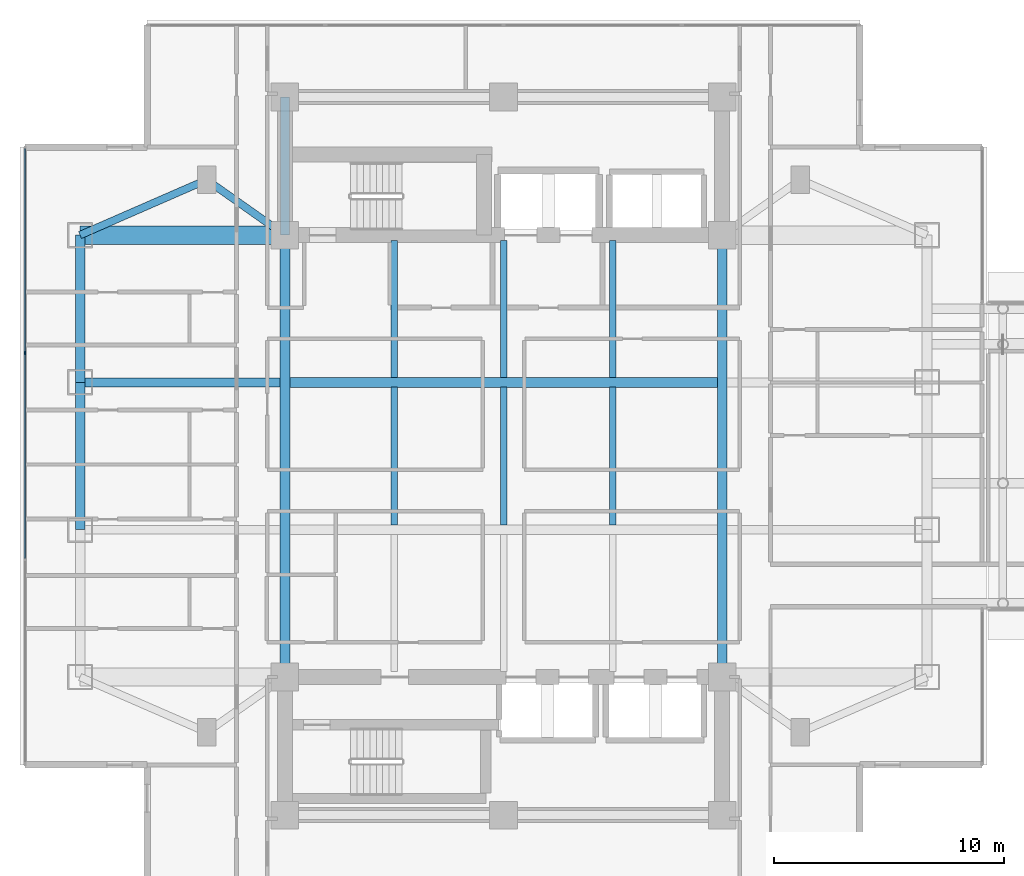
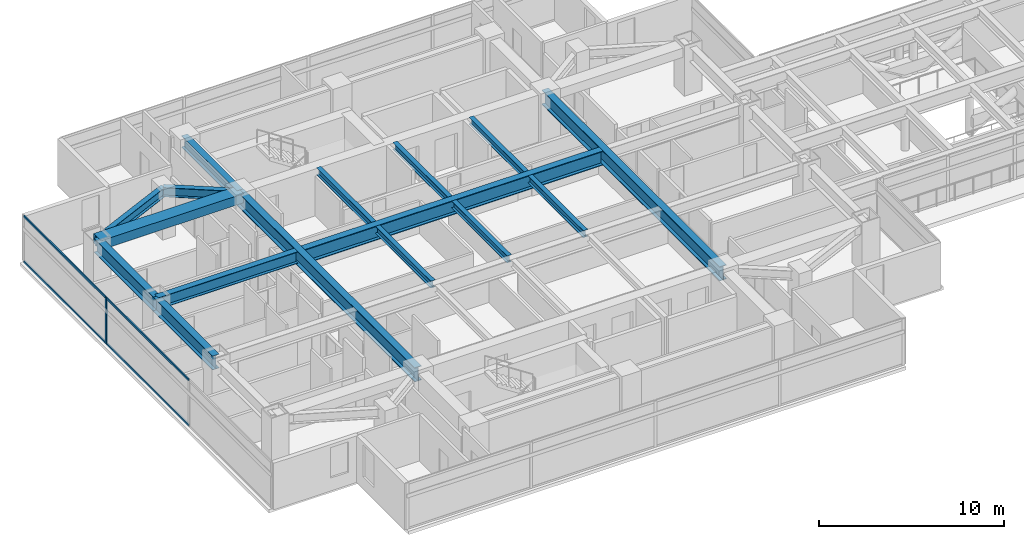
# One storey, part 3 of 27: 16 beams, 5 members, 1 element without a shape of its own.
"""IFC4 building model written with IfcOpenShell, lengths in metres."""

from ifc_helpers import new_model, si_unit, direction, frame, origin, origin_2d, place, context, subcontext, project, spatial, rectangle, i_section, extrude, material, material_profile, profile_set, type_object, element, aggregate, save


model = new_model("IFC4")

# Units and contexts
model_context = context("Model", 3, precision=1e-05, world=origin(), true_north=direction((0.0, 1.0)))
body_context = subcontext(model_context, "Body", "Model", "MODEL_VIEW")
ifc_project = project(units=[si_unit("LENGTHUNIT", "METRE"), si_unit("AREAUNIT", "SQUARE_METRE"), si_unit("VOLUMEUNIT", "CUBIC_METRE"), si_unit("PLANEANGLEUNIT", "RADIAN"), si_unit("MASSUNIT", "GRAM", prefix="KILO")], contexts=[model_context])

# Site, building, storey
site_placement = place(None, origin())
site = spatial("IfcSite", under=ifc_project, at=site_placement, CompositionType="ELEMENT")
building_placement = place(site_placement, origin())
building = spatial("IfcBuilding", under=site, at=building_placement, Name="Mirazonda Arch Towers", CompositionType="ELEMENT")
storey_placement = place(building_placement, frame((0.0, 0.0, 95.0)))
storey = spatial("IfcBuildingStorey", under=building, at=storey_placement, Name="L26", CompositionType="ELEMENT", Elevation=95.0)

# Beams
ifc_material_1 = material(Name="Steel ASTM A992 Grade 50", Category="steel")
ifc_material_profile_1 = material_profile(ifc_material_1, i_section(OverallWidth=0.41796875, OverallDepth=0.927001953125, WebThickness=0.019287109375, FlangeThickness=0.031982421875, at=origin_2d()), Name="W36X231")
ifc_profile_set_1 = profile_set([ifc_material_profile_1], Name="Steel ASTM A992 Grade 50")
beam_type_1 = type_object("IfcBeamType", Name="BM-EXT-W36X231", PredefinedType="USERDEFINED", material=ifc_profile_set_1)
beam_1_placement = place(storey_placement, frame((2.10009765625, 24.800048828125, 2.616455078125), z_axis=(0.0, 1.0, 0.0), x_axis=(-1.0, 0.0, 0.0)))
element("IfcBeam", 1, at=beam_1_placement, inside=storey, type_object=beam_type_1, Name="L26 Floor Beam BM-T1-L26-NS-W-24", ObjectType="GIRDER", PredefinedType="USERDEFINED", context=body_context, shape_type="SweptSolid", body=[
    extrude(i_section(OverallWidth=0.41796875, OverallDepth=0.927001953125, WebThickness=0.019287109375, FlangeThickness=0.031982421875, at=origin_2d()), origin(), (0.0, 0.0, 1.0), 6.39990234375),
])
beam_2_placement = place(storey_placement, frame((2.10009765625, 31.199951171875, 2.616455078125), z_axis=(0.0, 1.0, 0.0), x_axis=(-1.0, 0.0, 0.0)))
element("IfcBeam", 2, at=beam_2_placement, inside=storey, type_object=beam_type_1, Name="L26 Floor Beam BM-T1-L26-NS-W-31", ObjectType="GIRDER", PredefinedType="USERDEFINED", context=body_context, shape_type="SweptSolid", body=[
    extrude(i_section(OverallWidth=0.41796875, OverallDepth=0.927001953125, WebThickness=0.019287109375, FlangeThickness=0.031982421875, at=origin_2d()), origin(), (0.0, 0.0, 1.0), 6.400146484375),
])
ifc_material_profile_2 = material_profile(ifc_material_1, i_section(OverallWidth=0.280029296875, OverallDepth=0.462890625, WebThickness=0.0107421875, FlangeThickness=0.017333984375, at=origin_2d()), Name="W18X76")
ifc_profile_set_2 = profile_set([ifc_material_profile_2], Name="Steel ASTM A992 Grade 50")
beam_type_2 = type_object("IfcBeamType", Name="BM-INT-W18X76", PredefinedType="JOIST", material=ifc_profile_set_2)
beam_3_placement = place(storey_placement, frame((15.75, 31.407470703125, 2.848388671875), z_axis=(0.0, 1.0, 0.0), x_axis=(-1.0, 0.0, 0.0)))
element("IfcBeam", 3, at=beam_3_placement, inside=storey, type_object=beam_type_2, Name="L26 Floor Beam BM-T1-L26-J-157-31", PredefinedType="JOIST", context=body_context, shape_type="SweptSolid", body=[
    extrude(i_section(OverallWidth=0.280029296875, OverallDepth=0.462890625, WebThickness=0.0107421875, FlangeThickness=0.017333984375, at=origin_2d()), origin(), (0.0, 0.0, 1.0), 5.95263671875),
])
beam_4_placement = place(storey_placement, frame((15.75, 25.007568359375, 2.848388671875), z_axis=(0.0, 1.0, 0.0), x_axis=(-1.0, 0.0, 0.0)))
element("IfcBeam", 4, at=beam_4_placement, inside=storey, type_object=beam_type_2, Name="L26 Floor Beam BM-T1-L26-J-157-24", PredefinedType="JOIST", context=body_context, shape_type="SweptSolid", body=[
    extrude(i_section(OverallWidth=0.280029296875, OverallDepth=0.462890625, WebThickness=0.0107421875, FlangeThickness=0.017333984375, at=origin_2d()), origin(), (0.0, 0.0, 1.0), 5.98486328125),
])
beam_5_placement = place(storey_placement, frame((20.5, 31.407470703125, 2.848388671875), z_axis=(0.0, 1.0, 0.0), x_axis=(-1.0, 0.0, 0.0)))
element("IfcBeam", 5, at=beam_5_placement, inside=storey, type_object=beam_type_2, Name="L26 Floor Beam BM-T1-L26-J-205-31", PredefinedType="JOIST", context=body_context, shape_type="SweptSolid", body=[
    extrude(i_section(OverallWidth=0.280029296875, OverallDepth=0.462890625, WebThickness=0.0107421875, FlangeThickness=0.017333984375, at=origin_2d()), origin(), (0.0, 0.0, 1.0), 5.95263671875),
])
beam_6_placement = place(storey_placement, frame((20.5, 25.007568359375, 2.848388671875), z_axis=(0.0, 1.0, 0.0), x_axis=(-1.0, 0.0, 0.0)))
element("IfcBeam", 6, at=beam_6_placement, inside=storey, type_object=beam_type_2, Name="L26 Floor Beam BM-T1-L26-J-205-24", PredefinedType="JOIST", context=body_context, shape_type="SweptSolid", body=[
    extrude(i_section(OverallWidth=0.280029296875, OverallDepth=0.462890625, WebThickness=0.0107421875, FlangeThickness=0.017333984375, at=origin_2d()), origin(), (0.0, 0.0, 1.0), 5.98486328125),
])
beam_7_placement = place(storey_placement, frame((25.25, 31.407470703125, 2.848388671875), z_axis=(0.0, 1.0, 0.0), x_axis=(-1.0, 0.0, 0.0)))
element("IfcBeam", 7, at=beam_7_placement, inside=storey, type_object=beam_type_2, Name="L26 Floor Beam BM-T1-L26-J-252-31", PredefinedType="JOIST", context=body_context, shape_type="SweptSolid", body=[
    extrude(i_section(OverallWidth=0.280029296875, OverallDepth=0.462890625, WebThickness=0.0107421875, FlangeThickness=0.017333984375, at=origin_2d()), origin(), (0.0, 0.0, 1.0), 5.95263671875),
])
beam_8_placement = place(storey_placement, frame((25.25, 25.007568359375, 2.848388671875), z_axis=(0.0, 1.0, 0.0), x_axis=(-1.0, 0.0, 0.0)))
element("IfcBeam", 8, at=beam_8_placement, inside=storey, type_object=beam_type_2, Name="L26 Floor Beam BM-T1-L26-J-252-24", PredefinedType="JOIST", context=body_context, shape_type="SweptSolid", body=[
    extrude(i_section(OverallWidth=0.280029296875, OverallDepth=0.462890625, WebThickness=0.0107421875, FlangeThickness=0.017333984375, at=origin_2d()), origin(), (0.0, 0.0, 1.0), 5.98486328125),
])
ifc_material_profile_3 = material_profile(ifc_material_1, i_section(OverallWidth=0.324951171875, OverallDepth=0.615966796875, WebThickness=0.013916015625, FlangeThickness=0.021484375, at=origin_2d()), Name="W24X117")
ifc_profile_set_3 = profile_set([ifc_material_profile_3], Name="Steel ASTM A992 Grade 50")
beam_type_3 = type_object("IfcBeamType", Name="BM-INT-W24X117", PredefinedType="BEAM", material=ifc_profile_set_3)
beam_9_placement = place(storey_placement, frame((7.60009765625, 40.0, 2.77197265625), z_axis=(0.816971114901, -0.576678591087, 0.0), x_axis=(0.576678591087, 0.816971114901, 0.0)))
element("IfcBeam", 9, at=beam_9_placement, inside=storey, type_object=beam_type_3, Name="L26 Floor Beam BM-T1-L26-PL-NW1", PredefinedType="BEAM", context=body_context, shape_type="SweptSolid", body=[
    extrude(i_section(OverallWidth=0.324951171875, OverallDepth=0.615966796875, WebThickness=0.013916015625, FlangeThickness=0.021484375, at=origin_2d()), origin(), (0.0, 0.0, 1.0), 4.16162109375),
])
beam_10_placement = place(storey_placement, frame((7.60009765625, 40.0, 2.77197265625), z_axis=(-0.916545343703, -0.399930785183, 0.0), x_axis=(0.399930785183, -0.916545343703, 0.0)))
element("IfcBeam", 10, at=beam_10_placement, inside=storey, type_object=beam_type_3, Name="L26 Floor Beam BM-T1-L26-PL-NW2", PredefinedType="BEAM", context=body_context, shape_type="SweptSolid", body=[
    extrude(i_section(OverallWidth=0.324951171875, OverallDepth=0.615966796875, WebThickness=0.013916015625, FlangeThickness=0.021484375, at=origin_2d()), origin(), (0.0, 0.0, 1.0), 6.000732421875),
])
ifc_material_profile_4 = material_profile(ifc_material_1, i_section(OverallWidth=0.381103515625, OverallDepth=0.77294921875, WebThickness=0.0166015625, FlangeThickness=0.027099609375, at=origin_2d()), Name="W30X173")
ifc_profile_set_4 = profile_set([ifc_material_profile_4], Name="Steel ASTM A992 Grade 50")
beam_type_4 = type_object("IfcBeamType", Name="BM-INT-W30X173", PredefinedType="USERDEFINED", material=ifc_profile_set_4)
beam_11_placement = place(storey_placement, frame((2.10009765625, 31.199951171875, 2.693603515625), z_axis=(1.0, 0.0, 0.0), x_axis=(0.0, 1.0, 0.0)))
element("IfcBeam", 11, at=beam_11_placement, inside=storey, type_object=beam_type_4, Name="L26 Floor Beam BM-T1-L26-GW3", ObjectType="GIRDER", PredefinedType="USERDEFINED", context=body_context, shape_type="SweptSolid", body=[
    extrude(i_section(OverallWidth=0.381103515625, OverallDepth=0.77294921875, WebThickness=0.0166015625, FlangeThickness=0.027099609375, at=origin_2d()), origin(), (0.0, 0.0, 1.0), 8.6884765625),
])
beam_12_placement = place(storey_placement, frame((11.0, 37.60009765625, 2.693603515625), z_axis=(0.0, 1.0, 0.0), x_axis=(-1.0, 0.0, 0.0)))
element("IfcBeam", 12, at=beam_12_placement, inside=storey, type_object=beam_type_4, Name="L26 Floor Beam BM-T1-L26-CNW", ObjectType="GIRDER", PredefinedType="USERDEFINED", context=body_context, shape_type="SweptSolid", body=[
    extrude(i_section(OverallWidth=0.381103515625, OverallDepth=0.77294921875, WebThickness=0.0166015625, FlangeThickness=0.027099609375, at=origin_2d()), origin(), (0.0, 0.0, 1.0), 6.0),
])
ifc_material_profile_5 = material_profile(ifc_material_1, i_section(OverallWidth=0.423095703125, OverallDepth=0.947998046875, WebThickness=0.02392578125, FlangeThickness=0.042724609375, at=origin_2d()), Name="W36X302")
ifc_profile_set_5 = profile_set([ifc_material_profile_5], Name="Steel ASTM A992 Grade 50")
beam_type_5 = type_object("IfcBeamType", Name="BM-INT-W36X302", PredefinedType="USERDEFINED", material=ifc_profile_set_5)
beam_13_placement = place(storey_placement, frame((11.21142578125, 31.199951171875, 2.60595703125), z_axis=(1.0, 0.0, 0.0), x_axis=(0.0, 1.0, 0.0)))
element("IfcBeam", 13, at=beam_13_placement, inside=storey, type_object=beam_type_5, Name="L26 Floor Beam BM-T1-L26-GC3", ObjectType="GIRDER", PredefinedType="USERDEFINED", context=body_context, shape_type="SweptSolid", body=[
    extrude(i_section(OverallWidth=0.423095703125, OverallDepth=0.947998046875, WebThickness=0.02392578125, FlangeThickness=0.042724609375, at=origin_2d()), origin(), (0.0, 0.0, 1.0), 18.5771484375),
])
for number, where, z_axis, x_axis, name in (
    (14, (11.0, 18.39990234375, 2.60595703125), (0.0, 1.0, 0.0), (-1.0, 0.0, 0.0), "L26 Floor Beam BM-T1-L26-NS-CW-FULL"),
    (15, (30.0, 18.39990234375, 2.60595703125), (0.0, 1.0, 0.0), (-1.0, 0.0, 0.0), "L26 Floor Beam BM-T1-L26-NS-CE-FULL"),
):
    element("IfcBeam", number, at=place(storey_placement, frame(where, z_axis=z_axis, x_axis=x_axis)), inside=storey, type_object=beam_type_5, Name=name, ObjectType="GIRDER", PredefinedType="USERDEFINED", context=body_context, shape_type="SweptSolid", body=[
        extrude(i_section(OverallWidth=0.423095703125, OverallDepth=0.947998046875, WebThickness=0.02392578125, FlangeThickness=0.042724609375, at=origin_2d()), origin(), (0.0, 0.0, 1.0), 19.2001953125),
    ])
ifc_material_2 = material(Name="Concrete C60/75", Category="concrete")
ifc_material_profile_6 = material_profile(ifc_material_2, rectangle(XDim=0.800048828125, YDim=0.60009765625, at=origin_2d()), Name="RCCB800x600")
ifc_profile_set_6 = profile_set([ifc_material_profile_6], Name="Concrete C60/75")
beam_type_6 = type_object("IfcBeamType", Name="CB-INT-RCCB800x600", PredefinedType="SPANDREL", material=ifc_profile_set_6)
beam_14_placement = place(storey_placement, frame((2.10009765625, 37.60009765625, 2.780029296875), z_axis=(1.0, 0.0, 0.0), x_axis=(0.0, 1.0, 0.0)))
element("IfcBeam", 16, at=beam_14_placement, inside=storey, type_object=beam_type_6, Name="L26 Floor Beam CBC-T1-L26-NW", PredefinedType="SPANDREL", context=body_context, shape_type="SweptSolid", body=[
    extrude(rectangle(XDim=0.800048828125, YDim=0.60009765625, at=origin_2d()), origin(), (0.0, 0.0, 1.0), 8.89990234375),
])

# Curtain wall, members
ifc_material_3 = material(Name="Anodised Aluminium and Low-E Glass", Category="aluminium")
curtain_wall_type = type_object("IfcCurtainWallType", Name="CW-HTL-UNIT", PredefinedType="NOTDEFINED", material=ifc_material_3)
curtain_wall_placement = place(storey_placement, origin())
curtain_wall = element("IfcCurtainWall", 17, at=curtain_wall_placement, inside=storey, type_object=curtain_wall_type, Name="L26 T1 W Facade CW-L26-T1-W", PredefinedType="NOTDEFINED")
ifc_material_4 = material(Name="Anodised Aluminium Alloy", Category="aluminium")
ifc_material_profile_7 = material_profile(ifc_material_4, rectangle(XDim=0.074951171875, YDim=0.1650390625, at=origin_2d()), Name="ALU-MULL-75x165")
ifc_profile_set_7 = profile_set([ifc_material_profile_7], Name="Anodised Aluminium Alloy")
member_type_1 = type_object("IfcMemberType", Name="MULL-CW-HTL-UNIT", PredefinedType="MULLION", material=ifc_profile_set_7)
member_1_placement = place(storey_placement, frame((-0.2900390625, 32.4736328125, 0.0), z_axis=(0.0, 0.0, 1.0), x_axis=(1.0, 0.0, 0.0)))
member_1 = element("IfcMember", 18, at=member_1_placement, type_object=member_type_1, Name="CW-112 mullion 2", PredefinedType="MULLION", context=body_context, shape_type="SweptSolid", body=[
    extrude(rectangle(XDim=0.074951171875, YDim=0.1650390625, at=origin_2d()), origin(), (0.0, 0.0, 1.0), 3.06005859375),
])
ifc_material_profile_8 = material_profile(ifc_material_4, rectangle(XDim=0.074951171875, YDim=0.14501953125, at=origin_2d()), Name="ALU-TRAN-75x145")
ifc_profile_set_8 = profile_set([ifc_material_profile_8], Name="Anodised Aluminium Alloy")
member_type_2 = type_object("IfcMemberType", Name="TRAN-CW-HTL-UNIT", PredefinedType="USERDEFINED", material=ifc_profile_set_8)
member_2_placement = place(storey_placement, frame((-0.2900390625, 41.345947265625, 0.03759765625), z_axis=(0.0, -1.0, 0.0), x_axis=(1.0, 0.0, 0.0)))
member_2 = element("IfcMember", 19, at=member_2_placement, type_object=member_type_2, Name="CW-112 transom 1.1", ObjectType="TRANSOM", PredefinedType="USERDEFINED", context=body_context, shape_type="SweptSolid", body=[
    extrude(rectangle(XDim=0.074951171875, YDim=0.14501953125, at=origin_2d()), origin(), (0.0, 0.0, 1.0), 8.834716796875),
])
member_3_placement = place(storey_placement, frame((-0.2900390625, 41.345947265625, 3.0224609375), z_axis=(0.0, -1.0, 0.0), x_axis=(1.0, 0.0, 0.0)))
member_3 = element("IfcMember", 20, at=member_3_placement, type_object=member_type_2, Name="CW-112 transom 1.2", ObjectType="TRANSOM", PredefinedType="USERDEFINED", context=body_context, shape_type="SweptSolid", body=[
    extrude(rectangle(XDim=0.074951171875, YDim=0.14501953125, at=origin_2d()), origin(), (0.0, 0.0, 1.0), 8.834716796875),
])
member_4_placement = place(storey_placement, frame((-0.2900390625, 32.436279296875, 0.03759765625), z_axis=(0.0, -1.0, 0.0), x_axis=(1.0, 0.0, 0.0)))
member_4 = element("IfcMember", 21, at=member_4_placement, type_object=member_type_2, Name="CW-112 transom 2.1", ObjectType="TRANSOM", PredefinedType="USERDEFINED", context=body_context, shape_type="SweptSolid", body=[
    extrude(rectangle(XDim=0.074951171875, YDim=0.14501953125, at=origin_2d()), origin(), (0.0, 0.0, 1.0), 8.87255859375),
])
member_5_placement = place(storey_placement, frame((-0.2900390625, 32.436279296875, 3.0224609375), z_axis=(0.0, -1.0, 0.0), x_axis=(1.0, 0.0, 0.0)))
member_5 = element("IfcMember", 22, at=member_5_placement, type_object=member_type_2, Name="CW-112 transom 2.2", ObjectType="TRANSOM", PredefinedType="USERDEFINED", context=body_context, shape_type="SweptSolid", body=[
    extrude(rectangle(XDim=0.074951171875, YDim=0.14501953125, at=origin_2d()), origin(), (0.0, 0.0, 1.0), 8.87255859375),
])
aggregate(curtain_wall, [member_1, member_2, member_3, member_4, member_5])

save(model, "model.ifc")
